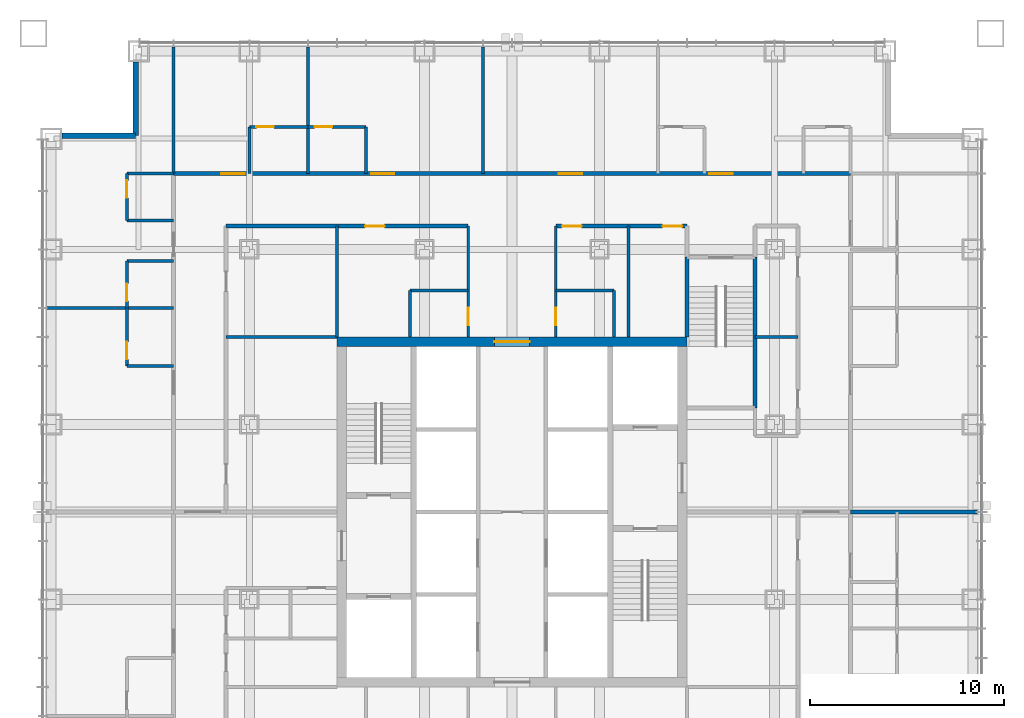
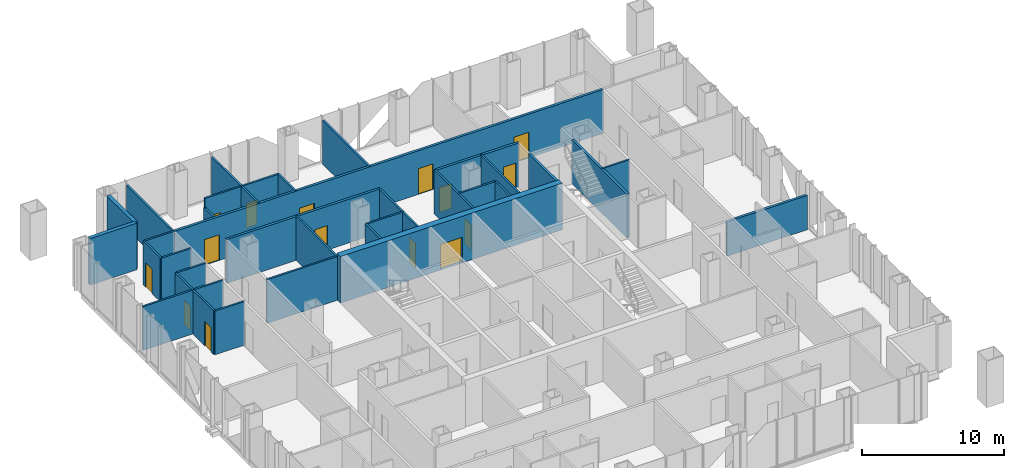
# One storey, part 11 of 17: 34 walls, 15 doors, 15 openings.
"""IFC4 building model written with IfcOpenShell, lengths in metres."""

from ifc_helpers import new_model, si_unit, direction, frame, frame_2d, origin, place, context, subcontext, project, spatial, rectangle, extrude, material, layer, layer_set, type_object, element, fill, save


model = new_model("IFC4")

# Units and contexts
model_context = context("Model", 3, precision=1e-05, world=origin(), true_north=direction((0.0, 1.0)))
body_context = subcontext(model_context, "Body", "Model", "MODEL_VIEW")
ifc_project = project(units=[si_unit("LENGTHUNIT", "METRE"), si_unit("AREAUNIT", "SQUARE_METRE"), si_unit("VOLUMEUNIT", "CUBIC_METRE"), si_unit("PLANEANGLEUNIT", "RADIAN"), si_unit("MASSUNIT", "GRAM", prefix="KILO")], contexts=[model_context])

# Site, building, storey
site_placement = place(None, origin())
site = spatial("IfcSite", under=ifc_project, at=site_placement, CompositionType="ELEMENT")
building_placement = place(site_placement, origin())
building = spatial("IfcBuilding", under=site, at=building_placement, Name="Malebo Sky Hospital", CompositionType="ELEMENT")
storey_placement = place(building_placement, frame((0.0, 0.0, 120.0)))
storey = spatial("IfcBuildingStorey", under=building, at=storey_placement, Name="L28", CompositionType="ELEMENT", Elevation=120.0)

# Wall, opening, door
ifc_material_1 = material(Name="Concrete C80/95", Category="concrete")
ifc_layer_1 = layer(ifc_material_1, 0.5)
ifc_layer_set_1 = layer_set([ifc_layer_1], Name="CORE WALL 500")
wall_type_1 = type_object("IfcWallType", Name="CORE WALL 500", PredefinedType="SHEAR", material=ifc_layer_set_1)
wall_1_placement = place(storey_placement, frame((51.0, 70.75, 0.0), z_axis=(0.0, 0.0, 1.0), x_axis=(1.0, 0.0, 0.0)))
wall_1 = element("IfcWall", 1, at=wall_1_placement, inside=storey, type_object=wall_type_1, Name="Core wall N L28", PredefinedType="SHEAR", context=body_context, shape_type="SweptSolid", body=[
    extrude(rectangle(XDim=18.0, YDim=0.5, at=frame_2d((9.0, 0.0))), origin(), (0.0, 0.0, 1.0), 4.0),
])
opening_1_placement = place(wall_1_placement, frame((8.10009765625, 0.0, 0.0)))
opening_1 = element("IfcOpeningElement", 2, at=opening_1_placement, cuts=wall_1, Name="Opening D06", PredefinedType="OPENING", context=body_context, shape_type="SweptSolid", body=[
    extrude(rectangle(XDim=1.800048828125, YDim=2.199951171875, at=frame_2d((0.89990234375, 1.10009765625))), frame((0.0, 0.260009765625, 0.0), z_axis=(0.0, -1.0, 0.0), x_axis=(1.0, 0.0, 0.0)), (0.0, 0.0, 1.0), 0.52001953125),
])
ifc_material_2 = material(Name="Hardwood-faced door leaf in steel frame", Category="steel")
door_type_1 = type_object("IfcDoorType", Name="LOBBY DOOR PAIR 1800", OperationType="DOUBLE_DOOR_SINGLE_SWING", PredefinedType="DOOR", material=ifc_material_2)
door_1_placement = place(opening_1_placement, origin())
door_1 = element("IfcDoor", 3, at=door_1_placement, inside=storey, type_object=door_type_1, Name="linen store door north", OperationType="DOUBLE_DOOR_SINGLE_SWING", OverallHeight=2.199951171875, OverallWidth=1.800048828125, PredefinedType="DOOR", context=body_context, shape_type="SweptSolid", body=[
    extrude(rectangle(XDim=1.800048828125, YDim=2.199951171875, at=frame_2d((0.89990234375, 1.10009765625))), frame((0.0, 0.02490234375, 0.0), z_axis=(0.0, -1.0, 0.0), x_axis=(1.0, 0.0, 0.0)), (0.0, 0.0, 1.0), 0.050048828125),
])
fill(opening_1, door_1)

# Wall, openings, doors
ifc_material_3 = material(Name="Gypsum board on steel studs", Category="steel")
ifc_layer_2 = layer(ifc_material_3, 0.199951171875)
ifc_layer_set_2 = layer_set([ifc_layer_2], Name="CORRIDOR WALL 200")
wall_type_2 = type_object("IfcWallType", Name="CORRIDOR WALL 200", PredefinedType="PARTITIONING", material=ifc_layer_set_2)
wall_2_placement = place(storey_placement, frame((42.60009765625, 79.39990234375, 0.0), z_axis=(0.0, 0.0, 1.0), x_axis=(1.0, 0.0, 0.0)))
wall_2 = element("IfcWall", 4, at=wall_2_placement, inside=storey, type_object=wall_type_2, Name="Corridor Wall 200 NCO", PredefinedType="PARTITIONING", context=body_context, shape_type="SweptSolid", body=[
    extrude(rectangle(XDim=34.7998046875, YDim=0.199951171875, at=frame_2d((17.39990234375, 0.0))), origin(), (0.0, 0.0, 1.0), 3.75),
])
opening_2_placement = place(wall_2_placement, frame((2.449951171875, 0.0, 0.0)))
opening_2 = element("IfcOpeningElement", 5, at=opening_2_placement, cuts=wall_2, Name="Opening D01", PredefinedType="OPENING", context=body_context, shape_type="SweptSolid", body=[
    extrude(rectangle(XDim=1.199951171875, YDim=2.199951171875, at=frame_2d((0.60009765625, 1.10009765625))), frame((0.0, 0.10986328125, 0.0), z_axis=(0.0, -1.0, 0.0), x_axis=(1.0, 0.0, 0.0)), (0.0, 0.0, 1.0), 0.219970703125),
])
opening_3_placement = place(wall_2_placement, frame((10.14990234375, 0.0, 0.0)))
opening_3 = element("IfcOpeningElement", 6, at=opening_3_placement, cuts=wall_2, Name="Opening D01", PredefinedType="OPENING", context=body_context, shape_type="SweptSolid", body=[
    extrude(rectangle(XDim=1.199951171875, YDim=2.199951171875, at=frame_2d((0.60009765625, 1.10009765625))), frame((0.0, 0.10986328125, 0.0), z_axis=(0.0, -1.0, 0.0), x_axis=(1.0, 0.0, 0.0)), (0.0, 0.0, 1.0), 0.219970703125),
])
opening_4_placement = place(wall_2_placement, frame((19.800048828125, 0.0, 0.0)))
opening_4 = element("IfcOpeningElement", 7, at=opening_4_placement, cuts=wall_2, Name="Opening D01", PredefinedType="OPENING", context=body_context, shape_type="SweptSolid", body=[
    extrude(rectangle(XDim=1.199951171875, YDim=2.199951171875, at=frame_2d((0.60009765625, 1.10009765625))), frame((0.0, 0.10986328125, 0.0), z_axis=(0.0, -1.0, 0.0), x_axis=(1.0, 0.0, 0.0)), (0.0, 0.0, 1.0), 0.219970703125),
])
opening_5_placement = place(wall_2_placement, frame((27.550048828125, 0.0, 0.0)))
opening_5 = element("IfcOpeningElement", 8, at=opening_5_placement, cuts=wall_2, Name="Opening D01", PredefinedType="OPENING", context=body_context, shape_type="SweptSolid", body=[
    extrude(rectangle(XDim=1.199951171875, YDim=2.199951171875, at=frame_2d((0.60009765625, 1.10009765625))), frame((0.0, 0.10986328125, 0.0), z_axis=(0.0, -1.0, 0.0), x_axis=(1.0, 0.0, 0.0)), (0.0, 0.0, 1.0), 0.219970703125),
])
door_type_2 = type_object("IfcDoorType", Name="BED DOOR 1200", OperationType="SINGLE_SWING_LEFT", PredefinedType="DOOR", material=ifc_material_2)
door_2_placement = place(opening_2_placement, origin())
door_2 = element("IfcDoor", 9, at=door_2_placement, inside=storey, type_object=door_type_2, Name="Two-bed room door", OperationType="SINGLE_SWING_RIGHT", OverallHeight=2.199951171875, OverallWidth=1.199951171875, PredefinedType="DOOR", context=body_context, shape_type="SweptSolid", body=[
    extrude(rectangle(XDim=1.199951171875, YDim=2.199951171875, at=frame_2d((0.60009765625, 1.10009765625))), frame((0.0, 0.02490234375, 0.0), z_axis=(0.0, -1.0, 0.0), x_axis=(1.0, 0.0, 0.0)), (0.0, 0.0, 1.0), 0.050048828125),
])
fill(opening_2, door_2)
door_3_placement = place(opening_3_placement, origin())
door_3 = element("IfcDoor", 10, at=door_3_placement, inside=storey, type_object=door_type_2, Name="Two-bed room door", OperationType="SINGLE_SWING_LEFT", OverallHeight=2.199951171875, OverallWidth=1.199951171875, PredefinedType="DOOR", context=body_context, shape_type="SweptSolid", body=[
    extrude(rectangle(XDim=1.199951171875, YDim=2.199951171875, at=frame_2d((0.60009765625, 1.10009765625))), frame((0.0, 0.02490234375, 0.0), z_axis=(0.0, -1.0, 0.0), x_axis=(1.0, 0.0, 0.0)), (0.0, 0.0, 1.0), 0.050048828125),
])
fill(opening_3, door_3)
door_4_placement = place(opening_4_placement, origin())
door_4 = element("IfcDoor", 11, at=door_4_placement, inside=storey, type_object=door_type_2, Name="Therapy room door", OperationType="SINGLE_SWING_LEFT", OverallHeight=2.199951171875, OverallWidth=1.199951171875, PredefinedType="DOOR", context=body_context, shape_type="SweptSolid", body=[
    extrude(rectangle(XDim=1.199951171875, YDim=2.199951171875, at=frame_2d((0.60009765625, 1.10009765625))), frame((0.0, 0.02490234375, 0.0), z_axis=(0.0, -1.0, 0.0), x_axis=(1.0, 0.0, 0.0)), (0.0, 0.0, 1.0), 0.050048828125),
])
fill(opening_4, door_4)
door_5_placement = place(opening_5_placement, origin())
door_5 = element("IfcDoor", 12, at=door_5_placement, inside=storey, type_object=door_type_2, Name="Four-bed bay door", OperationType="SINGLE_SWING_LEFT", OverallHeight=2.199951171875, OverallWidth=1.199951171875, PredefinedType="DOOR", context=body_context, shape_type="SweptSolid", body=[
    extrude(rectangle(XDim=1.199951171875, YDim=2.199951171875, at=frame_2d((0.60009765625, 1.10009765625))), frame((0.0, 0.02490234375, 0.0), z_axis=(0.0, -1.0, 0.0), x_axis=(1.0, 0.0, 0.0)), (0.0, 0.0, 1.0), 0.050048828125),
])
fill(opening_5, door_5)

# Wall, opening, door
wall_3_placement = place(storey_placement, frame((45.300048828125, 76.699951171875, 0.0), z_axis=(0.0, 0.0, 1.0), x_axis=(1.0, 0.0, 0.0)))
wall_3 = element("IfcWall", 13, at=wall_3_placement, inside=storey, type_object=wall_type_2, Name="Corridor Wall 200 NCI1", PredefinedType="PARTITIONING", context=body_context, shape_type="SweptSolid", body=[
    extrude(rectangle(XDim=12.449951171875, YDim=0.199951171875, at=frame_2d((6.22509765625, 0.0))), origin(), (0.0, 0.0, 1.0), 3.75),
])
opening_6_placement = place(wall_3_placement, frame((7.14990234375, 0.0, 0.0)))
opening_6 = element("IfcOpeningElement", 14, at=opening_6_placement, cuts=wall_3, Name="Opening D03", PredefinedType="OPENING", context=body_context, shape_type="SweptSolid", body=[
    extrude(rectangle(XDim=1.0, YDim=2.10009765625, at=frame_2d((0.5, 1.050048828125))), frame((0.0, 0.10986328125, 0.0), z_axis=(0.0, -1.0, 0.0), x_axis=(1.0, 0.0, 0.0)), (0.0, 0.0, 1.0), 0.219970703125),
])
door_type_3 = type_object("IfcDoorType", Name="ROOM DOOR 1000", OperationType="SINGLE_SWING_LEFT", PredefinedType="DOOR", material=ifc_material_2)
door_6_placement = place(opening_6_placement, origin())
door_6 = element("IfcDoor", 15, at=door_6_placement, inside=storey, type_object=door_type_3, Name="Ward pantry door", OperationType="SINGLE_SWING_LEFT", OverallHeight=2.10009765625, OverallWidth=1.0, PredefinedType="DOOR", context=body_context, shape_type="SweptSolid", body=[
    extrude(rectangle(XDim=1.0, YDim=2.10009765625, at=frame_2d((0.5, 1.050048828125))), frame((0.0, 0.02490234375, 0.0), z_axis=(0.0, -1.0, 0.0), x_axis=(1.0, 0.0, 0.0)), (0.0, 0.0, 1.0), 0.050048828125),
])
fill(opening_6, door_6)

# Wall, openings, doors
wall_4_placement = place(storey_placement, frame((62.25, 76.699951171875, 0.0), z_axis=(0.0, 0.0, 1.0), x_axis=(1.0, 0.0, 0.0)))
wall_4 = element("IfcWall", 16, at=wall_4_placement, inside=storey, type_object=wall_type_2, Name="Corridor Wall 200 NCI2", PredefinedType="PARTITIONING", context=body_context, shape_type="SweptSolid", body=[
    extrude(rectangle(XDim=6.75, YDim=0.199951171875, at=frame_2d((3.375, 0.0))), origin(), (0.0, 0.0, 1.0), 3.75),
])
opening_7_placement = place(wall_4_placement, frame((0.324951171875, 0.0, 0.0)))
opening_7 = element("IfcOpeningElement", 17, at=opening_7_placement, cuts=wall_4, Name="Opening D03", PredefinedType="OPENING", context=body_context, shape_type="SweptSolid", body=[
    extrude(rectangle(XDim=1.0, YDim=2.10009765625, at=frame_2d((0.5, 1.050048828125))), frame((0.0, 0.10986328125, 0.0), z_axis=(0.0, -1.0, 0.0), x_axis=(1.0, 0.0, 0.0)), (0.0, 0.0, 1.0), 0.219970703125),
])
opening_8_placement = place(wall_4_placement, frame((5.5, 0.0, 0.0)))
opening_8 = element("IfcOpeningElement", 18, at=opening_8_placement, cuts=wall_4, Name="Opening D03", PredefinedType="OPENING", context=body_context, shape_type="SweptSolid", body=[
    extrude(rectangle(XDim=1.0, YDim=2.10009765625, at=frame_2d((0.5, 1.050048828125))), frame((0.0, 0.10986328125, 0.0), z_axis=(0.0, -1.0, 0.0), x_axis=(1.0, 0.0, 0.0)), (0.0, 0.0, 1.0), 0.219970703125),
])
door_7_placement = place(opening_7_placement, origin())
door_7 = element("IfcDoor", 19, at=door_7_placement, inside=storey, type_object=door_type_3, Name="Medication room door", OperationType="SINGLE_SWING_LEFT", OverallHeight=2.10009765625, OverallWidth=1.0, PredefinedType="DOOR", context=body_context, shape_type="SweptSolid", body=[
    extrude(rectangle(XDim=1.0, YDim=2.10009765625, at=frame_2d((0.5, 1.050048828125))), frame((0.0, 0.02490234375, 0.0), z_axis=(0.0, -1.0, 0.0), x_axis=(1.0, 0.0, 0.0)), (0.0, 0.0, 1.0), 0.050048828125),
])
fill(opening_7, door_7)
door_8_placement = place(opening_8_placement, origin())
door_8 = element("IfcDoor", 20, at=door_8_placement, inside=storey, type_object=door_type_3, Name="Seminar room door", OperationType="SINGLE_SWING_RIGHT", OverallHeight=2.10009765625, OverallWidth=1.0, PredefinedType="DOOR", context=body_context, shape_type="SweptSolid", body=[
    extrude(rectangle(XDim=1.0, YDim=2.10009765625, at=frame_2d((0.5, 1.050048828125))), frame((0.0, 0.02490234375, 0.0), z_axis=(0.0, -1.0, 0.0), x_axis=(1.0, 0.0, 0.0)), (0.0, 0.0, 1.0), 0.050048828125),
])
fill(opening_8, door_8)

# Walls
ifc_material_4 = material(Name="Anodised aluminium rainscreen on steel framing", Category="steel")
ifc_layer_3 = layer(ifc_material_4, 0.300048828125)
ifc_layer_set_3 = layer_set([ifc_layer_3], Name="NOTCH RAINSCREEN WALL 300")
wall_type_3 = type_object("IfcWallType", Name="NOTCH RAINSCREEN WALL 300", PredefinedType="ELEMENTEDWALL", material=ifc_layer_set_3)
for number, where, z_axis, x_axis, name in (
    (21, (36.85009765625, 81.35009765625, 0.0), (0.0, 0.0, 1.0), (1.0, 0.0, 0.0), "Notch rainscreen wall W1 L28"),
    (22, (40.64990234375, 81.35009765625, 0.0), (0.0, 0.0, 1.0), (0.0, 1.0, 0.0), "Notch rainscreen wall W2 L28"),
):
    element("IfcWall", number, at=place(storey_placement, frame(where, z_axis=z_axis, x_axis=x_axis)), inside=storey, type_object=wall_type_3, Name=name, PredefinedType="ELEMENTEDWALL", context=body_context, shape_type="SweptSolid", body=[
        extrude(rectangle(XDim=3.7998046875, YDim=0.300048828125, at=frame_2d((1.89990234375, 0.0))), origin(), (0.0, 0.0, 1.0), 4.0),
    ])
ifc_layer_4 = layer(ifc_material_3, 0.14990234375)
ifc_layer_set_4 = layer_set([ifc_layer_4], Name="PARTITION 150")
wall_type_4 = type_object("IfcWallType", Name="PARTITION 150", PredefinedType="PARTITIONING", material=ifc_layer_set_4)
for number, where, z_axis, x_axis, name in (
    (23, (49.5, 79.39990234375, 0.0), (0.0, 0.0, 1.0), (0.0, 1.0, 0.0), "Partition 150 NP-10.5"),
    (24, (58.5, 79.39990234375, 0.0), (0.0, 0.0, 1.0), (0.0, 1.0, 0.0), "Partition 150 NP-1.5"),
    (25, (42.60009765625, 79.39990234375, 0.0), (0.0, 0.0, 1.0), (0.0, 1.0, 0.0), "Partition 150 NP0"),
):
    element("IfcWall", number, at=place(storey_placement, frame(where, z_axis=z_axis, x_axis=x_axis)), inside=storey, type_object=wall_type_4, Name=name, PredefinedType="PARTITIONING", context=body_context, shape_type="SweptSolid", body=[
        extrude(rectangle(XDim=6.510009765625, YDim=0.14990234375, at=frame_2d((3.2548828125, 0.0))), origin(), (0.0, 0.0, 1.0), 3.75),
    ])

# Wall, opening, door
wall_5_placement = place(storey_placement, frame((46.5, 81.800048828125, 0.0), z_axis=(0.0, 0.0, 1.0), x_axis=(1.0, 0.0, 0.0)))
wall_5 = element("IfcWall", 26, at=wall_5_placement, inside=storey, type_object=wall_type_4, Name="Partition 150 NE0F", PredefinedType="PARTITIONING", context=body_context, shape_type="SweptSolid", body=[
    extrude(rectangle(XDim=3.0, YDim=0.14990234375, at=frame_2d((1.5, 0.0))), origin(), (0.0, 0.0, 1.0), 3.75),
])
opening_9_placement = place(wall_5_placement, frame((0.35009765625, 0.0, 0.0)))
opening_9 = element("IfcOpeningElement", 27, at=opening_9_placement, cuts=wall_5, Name="Opening D02", PredefinedType="OPENING", context=body_context, shape_type="SweptSolid", body=[
    extrude(rectangle(XDim=0.89990234375, YDim=2.10009765625, at=frame_2d((0.449951171875, 1.050048828125))), frame((0.0, 0.0849609375, 0.0), z_axis=(0.0, -1.0, 0.0), x_axis=(1.0, 0.0, 0.0)), (0.0, 0.0, 1.0), 0.169921875),
])
door_type_4 = type_object("IfcDoorType", Name="EN-SUITE DOOR 900", OperationType="SINGLE_SWING_LEFT", PredefinedType="DOOR", material=ifc_material_2)
door_9_placement = place(opening_9_placement, origin())
door_9 = element("IfcDoor", 28, at=door_9_placement, inside=storey, type_object=door_type_4, Name="En-suite door", OperationType="SINGLE_SWING_LEFT", OverallHeight=2.10009765625, OverallWidth=0.89990234375, PredefinedType="DOOR", context=body_context, shape_type="SweptSolid", body=[
    extrude(rectangle(XDim=0.89990234375, YDim=2.10009765625, at=frame_2d((0.449951171875, 1.050048828125))), frame((0.0, 0.02490234375, 0.0), z_axis=(0.0, -1.0, 0.0), x_axis=(1.0, 0.0, 0.0)), (0.0, 0.0, 1.0), 0.050048828125),
])
fill(opening_9, door_9)

# Wall
wall_6_placement = place(storey_placement, frame((46.5, 79.39990234375, 0.0), z_axis=(0.0, 0.0, 1.0), x_axis=(0.0, 1.0, 0.0)))
element("IfcWall", 29, at=wall_6_placement, inside=storey, type_object=wall_type_4, Name="Partition 150 NE0S", PredefinedType="PARTITIONING", context=body_context, shape_type="SweptSolid", body=[
    extrude(rectangle(XDim=2.400146484375, YDim=0.14990234375, at=frame_2d((1.2001953125, 0.0))), origin(), (0.0, 0.0, 1.0), 2.949951171875),
])

# Wall, opening, door
wall_7_placement = place(storey_placement, frame((49.5, 81.800048828125, 0.0), z_axis=(0.0, 0.0, 1.0), x_axis=(1.0, 0.0, 0.0)))
wall_7 = element("IfcWall", 30, at=wall_7_placement, inside=storey, type_object=wall_type_4, Name="Partition 150 NE1F", PredefinedType="PARTITIONING", context=body_context, shape_type="SweptSolid", body=[
    extrude(rectangle(XDim=3.0, YDim=0.14990234375, at=frame_2d((1.5, 0.0))), origin(), (0.0, 0.0, 1.0), 3.75),
])
opening_10_placement = place(wall_7_placement, frame((0.35009765625, 0.0, 0.0)))
opening_10 = element("IfcOpeningElement", 31, at=opening_10_placement, cuts=wall_7, Name="Opening D02", PredefinedType="OPENING", context=body_context, shape_type="SweptSolid", body=[
    extrude(rectangle(XDim=0.89990234375, YDim=2.10009765625, at=frame_2d((0.449951171875, 1.050048828125))), frame((0.0, 0.0849609375, 0.0), z_axis=(0.0, -1.0, 0.0), x_axis=(1.0, 0.0, 0.0)), (0.0, 0.0, 1.0), 0.169921875),
])
door_10_placement = place(opening_10_placement, origin())
door_10 = element("IfcDoor", 32, at=door_10_placement, inside=storey, type_object=door_type_4, Name="En-suite door", OperationType="SINGLE_SWING_LEFT", OverallHeight=2.10009765625, OverallWidth=0.89990234375, PredefinedType="DOOR", context=body_context, shape_type="SweptSolid", body=[
    extrude(rectangle(XDim=0.89990234375, YDim=2.10009765625, at=frame_2d((0.449951171875, 1.050048828125))), frame((0.0, 0.02490234375, 0.0), z_axis=(0.0, -1.0, 0.0), x_axis=(1.0, 0.0, 0.0)), (0.0, 0.0, 1.0), 0.050048828125),
])
fill(opening_10, door_10)

# Walls
wall_8_placement = place(storey_placement, frame((52.5, 79.39990234375, 0.0), z_axis=(0.0, 0.0, 1.0), x_axis=(0.0, 1.0, 0.0)))
element("IfcWall", 33, at=wall_8_placement, inside=storey, type_object=wall_type_4, Name="Partition 150 NE1S", PredefinedType="PARTITIONING", context=body_context, shape_type="SweptSolid", body=[
    extrude(rectangle(XDim=2.400146484375, YDim=0.14990234375, at=frame_2d((1.2001953125, 0.0))), origin(), (0.0, 0.0, 1.0), 3.75),
])
wall_9_placement = place(storey_placement, frame((51.0, 71.0, 0.0), z_axis=(0.0, 0.0, 1.0), x_axis=(0.0, 1.0, 0.0)))
element("IfcWall", 34, at=wall_9_placement, inside=storey, type_object=wall_type_4, Name="Partition 150 NSP0", PredefinedType="PARTITIONING", context=body_context, shape_type="SweptSolid", body=[
    extrude(rectangle(XDim=5.699951171875, YDim=0.14990234375, at=frame_2d((2.85009765625, 0.0))), origin(), (0.0, 0.0, 1.0), 3.75),
])

# Wall, opening, door
wall_10_placement = place(storey_placement, frame((57.75, 71.0, 0.0), z_axis=(0.0, 0.0, 1.0), x_axis=(0.0, 1.0, 0.0)))
wall_10 = element("IfcWall", 35, at=wall_10_placement, inside=storey, type_object=wall_type_4, Name="Partition 150 NSPA", PredefinedType="PARTITIONING", context=body_context, shape_type="SweptSolid", body=[
    extrude(rectangle(XDim=5.699951171875, YDim=0.14990234375, at=frame_2d((2.85009765625, 0.0))), origin(), (0.0, 0.0, 1.0), 3.75),
])
opening_11_placement = place(wall_10_placement, frame((0.60009765625, 0.0, 0.0)))
opening_11 = element("IfcOpeningElement", 36, at=opening_11_placement, cuts=wall_10, Name="Opening D04", PredefinedType="OPENING", context=body_context, shape_type="SweptSolid", body=[
    extrude(rectangle(XDim=0.89990234375, YDim=2.10009765625, at=frame_2d((0.449951171875, 1.050048828125))), frame((0.0, 0.0849609375, 0.0), z_axis=(0.0, -1.0, 0.0), x_axis=(1.0, 0.0, 0.0)), (0.0, 0.0, 1.0), 0.169921875),
])
door_type_5 = type_object("IfcDoorType", Name="ROOM DOOR 900", OperationType="SINGLE_SWING_LEFT", PredefinedType="DOOR", material=ifc_material_2)
door_11_placement = place(opening_11_placement, origin())
door_11 = element("IfcDoor", 37, at=door_11_placement, inside=storey, type_object=door_type_5, Name="Staff WC door", OperationType="SINGLE_SWING_LEFT", OverallHeight=2.10009765625, OverallWidth=0.89990234375, PredefinedType="DOOR", context=body_context, shape_type="SweptSolid", body=[
    extrude(rectangle(XDim=0.89990234375, YDim=2.10009765625, at=frame_2d((0.449951171875, 1.050048828125))), frame((0.0, 0.02490234375, 0.0), z_axis=(0.0, -1.0, 0.0), x_axis=(1.0, 0.0, 0.0)), (0.0, 0.0, 1.0), 0.050048828125),
])
fill(opening_11, door_11)

wall_11_placement = place(storey_placement, frame((62.25, 71.0, 0.0), z_axis=(0.0, 0.0, 1.0), x_axis=(0.0, 1.0, 0.0)))
wall_11 = element("IfcWall", 38, at=wall_11_placement, inside=storey, type_object=wall_type_4, Name="Partition 150 NSPB", PredefinedType="PARTITIONING", context=body_context, shape_type="SweptSolid", body=[
    extrude(rectangle(XDim=5.699951171875, YDim=0.14990234375, at=frame_2d((2.85009765625, 0.0))), origin(), (0.0, 0.0, 1.0), 3.75),
])
opening_12_placement = place(wall_11_placement, frame((0.60009765625, 0.0, 0.0)))
opening_12 = element("IfcOpeningElement", 39, at=opening_12_placement, cuts=wall_11, Name="Opening D04", PredefinedType="OPENING", context=body_context, shape_type="SweptSolid", body=[
    extrude(rectangle(XDim=0.89990234375, YDim=2.10009765625, at=frame_2d((0.449951171875, 1.050048828125))), frame((0.0, 0.0849609375, 0.0), z_axis=(0.0, -1.0, 0.0), x_axis=(1.0, 0.0, 0.0)), (0.0, 0.0, 1.0), 0.169921875),
])
door_12_placement = place(opening_12_placement, origin())
door_12 = element("IfcDoor", 40, at=door_12_placement, inside=storey, type_object=door_type_5, Name="Accessible WC door", OperationType="SINGLE_SWING_LEFT", OverallHeight=2.10009765625, OverallWidth=0.89990234375, PredefinedType="DOOR", context=body_context, shape_type="SweptSolid", body=[
    extrude(rectangle(XDim=0.89990234375, YDim=2.10009765625, at=frame_2d((0.449951171875, 1.050048828125))), frame((0.0, 0.02490234375, 0.0), z_axis=(0.0, -1.0, 0.0), x_axis=(1.0, 0.0, 0.0)), (0.0, 0.0, 1.0), 0.050048828125),
])
fill(opening_12, door_12)

# Walls
wall_12_placement = place(storey_placement, frame((66.0, 71.0, 0.0), z_axis=(0.0, 0.0, 1.0), x_axis=(0.0, 1.0, 0.0)))
element("IfcWall", 41, at=wall_12_placement, inside=storey, type_object=wall_type_4, Name="Partition 150 NSP+6.0", PredefinedType="PARTITIONING", context=body_context, shape_type="SweptSolid", body=[
    extrude(rectangle(XDim=5.699951171875, YDim=0.14990234375, at=frame_2d((2.85009765625, 0.0))), origin(), (0.0, 0.0, 1.0), 3.75),
])
wall_13_placement = place(storey_placement, frame((54.75, 73.39990234375, 0.0), z_axis=(0.0, 0.0, 1.0), x_axis=(1.0, 0.0, 0.0)))
element("IfcWall", 42, at=wall_13_placement, inside=storey, type_object=wall_type_4, Name="Partition 150 NSX0", PredefinedType="PARTITIONING", context=body_context, shape_type="SweptSolid", body=[
    extrude(rectangle(XDim=3.0, YDim=0.14990234375, at=frame_2d((1.5, 0.0))), origin(), (0.0, 0.0, 1.0), 3.75),
])
wall_14_placement = place(storey_placement, frame((54.75, 71.0, 0.0), z_axis=(0.0, 0.0, 1.0), x_axis=(0.0, 1.0, 0.0)))
element("IfcWall", 43, at=wall_14_placement, inside=storey, type_object=wall_type_4, Name="Partition 150 NSY0", PredefinedType="PARTITIONING", context=body_context, shape_type="SweptSolid", body=[
    extrude(rectangle(XDim=2.39990234375, YDim=0.14990234375, at=frame_2d((1.199951171875, 0.0))), origin(), (0.0, 0.0, 1.0), 3.75),
])
wall_15_placement = place(storey_placement, frame((62.25, 73.39990234375, 0.0), z_axis=(0.0, 0.0, 1.0), x_axis=(1.0, 0.0, 0.0)))
element("IfcWall", 44, at=wall_15_placement, inside=storey, type_object=wall_type_4, Name="Partition 150 NSX1", PredefinedType="PARTITIONING", context=body_context, shape_type="SweptSolid", body=[
    extrude(rectangle(XDim=3.0, YDim=0.14990234375, at=frame_2d((1.5, 0.0))), origin(), (0.0, 0.0, 1.0), 3.75),
])
wall_16_placement = place(storey_placement, frame((65.25, 71.0, 0.0), z_axis=(0.0, 0.0, 1.0), x_axis=(0.0, 1.0, 0.0)))
element("IfcWall", 45, at=wall_16_placement, inside=storey, type_object=wall_type_4, Name="Partition 150 NSY1", PredefinedType="PARTITIONING", context=body_context, shape_type="SweptSolid", body=[
    extrude(rectangle(XDim=2.39990234375, YDim=0.14990234375, at=frame_2d((1.199951171875, 0.0))), origin(), (0.0, 0.0, 1.0), 3.75),
])
wall_17_placement = place(storey_placement, frame((42.60009765625, 72.5, 0.0), z_axis=(0.0, 0.0, 1.0), x_axis=(-1.0, 0.0, 0.0)))
element("IfcWall", 46, at=wall_17_placement, inside=storey, type_object=wall_type_4, Name="Partition 150 WP+10.5", PredefinedType="PARTITIONING", context=body_context, shape_type="SweptSolid", body=[
    extrude(rectangle(XDim=6.510009765625, YDim=0.14990234375, at=frame_2d((3.2548828125, 0.0))), origin(), (0.0, 0.0, 1.0), 3.75),
])

# Wall, opening, door
wall_18_placement = place(storey_placement, frame((40.199951171875, 69.5, 0.0), z_axis=(0.0, 0.0, 1.0), x_axis=(0.0, 1.0, 0.0)))
wall_18 = element("IfcWall", 47, at=wall_18_placement, inside=storey, type_object=wall_type_4, Name="Partition 150 WE2F", PredefinedType="PARTITIONING", context=body_context, shape_type="SweptSolid", body=[
    extrude(rectangle(XDim=3.0, YDim=0.14990234375, at=frame_2d((1.5, 0.0))), origin(), (0.0, 0.0, 1.0), 3.75),
])
opening_13_placement = place(wall_18_placement, frame((0.35009765625, 0.0, 0.0)))
opening_13 = element("IfcOpeningElement", 48, at=opening_13_placement, cuts=wall_18, Name="Opening D02", PredefinedType="OPENING", context=body_context, shape_type="SweptSolid", body=[
    extrude(rectangle(XDim=0.89990234375, YDim=2.10009765625, at=frame_2d((0.449951171875, 1.050048828125))), frame((0.0, 0.0849609375, 0.0), z_axis=(0.0, -1.0, 0.0), x_axis=(1.0, 0.0, 0.0)), (0.0, 0.0, 1.0), 0.169921875),
])
door_13_placement = place(opening_13_placement, origin())
door_13 = element("IfcDoor", 49, at=door_13_placement, inside=storey, type_object=door_type_4, Name="En-suite door", OperationType="SINGLE_SWING_LEFT", OverallHeight=2.10009765625, OverallWidth=0.89990234375, PredefinedType="DOOR", context=body_context, shape_type="SweptSolid", body=[
    extrude(rectangle(XDim=0.89990234375, YDim=2.10009765625, at=frame_2d((0.449951171875, 1.050048828125))), frame((0.0, 0.02490234375, 0.0), z_axis=(0.0, -1.0, 0.0), x_axis=(1.0, 0.0, 0.0)), (0.0, 0.0, 1.0), 0.050048828125),
])
fill(opening_13, door_13)

# Wall
wall_19_placement = place(storey_placement, frame((42.60009765625, 69.5, 0.0), z_axis=(0.0, 0.0, 1.0), x_axis=(-1.0, 0.0, 0.0)))
element("IfcWall", 50, at=wall_19_placement, inside=storey, type_object=wall_type_4, Name="Partition 150 WE2S", PredefinedType="PARTITIONING", context=body_context, shape_type="SweptSolid", body=[
    extrude(rectangle(XDim=2.400146484375, YDim=0.14990234375, at=frame_2d((1.2001953125, 0.0))), origin(), (0.0, 0.0, 1.0), 3.75),
])

# Wall, opening, door
wall_20_placement = place(storey_placement, frame((40.199951171875, 72.5, 0.0), z_axis=(0.0, 0.0, 1.0), x_axis=(0.0, 1.0, 0.0)))
wall_20 = element("IfcWall", 51, at=wall_20_placement, inside=storey, type_object=wall_type_4, Name="Partition 150 WE3F", PredefinedType="PARTITIONING", context=body_context, shape_type="SweptSolid", body=[
    extrude(rectangle(XDim=2.39990234375, YDim=0.14990234375, at=frame_2d((1.199951171875, 0.0))), origin(), (0.0, 0.0, 1.0), 3.75),
])
opening_14_placement = place(wall_20_placement, frame((0.35009765625, 0.0, 0.0)))
opening_14 = element("IfcOpeningElement", 52, at=opening_14_placement, cuts=wall_20, Name="Opening D02", PredefinedType="OPENING", context=body_context, shape_type="SweptSolid", body=[
    extrude(rectangle(XDim=0.89990234375, YDim=2.10009765625, at=frame_2d((0.449951171875, 1.050048828125))), frame((0.0, 0.0849609375, 0.0), z_axis=(0.0, -1.0, 0.0), x_axis=(1.0, 0.0, 0.0)), (0.0, 0.0, 1.0), 0.169921875),
])
door_14_placement = place(opening_14_placement, origin())
door_14 = element("IfcDoor", 53, at=door_14_placement, inside=storey, type_object=door_type_4, Name="En-suite door", OperationType="SINGLE_SWING_LEFT", OverallHeight=2.10009765625, OverallWidth=0.89990234375, PredefinedType="DOOR", context=body_context, shape_type="SweptSolid", body=[
    extrude(rectangle(XDim=0.89990234375, YDim=2.10009765625, at=frame_2d((0.449951171875, 1.050048828125))), frame((0.0, 0.02490234375, 0.0), z_axis=(0.0, -1.0, 0.0), x_axis=(1.0, 0.0, 0.0)), (0.0, 0.0, 1.0), 0.050048828125),
])
fill(opening_14, door_14)

# Wall
wall_21_placement = place(storey_placement, frame((42.60009765625, 74.89990234375, 0.0), z_axis=(0.0, 0.0, 1.0), x_axis=(-1.0, 0.0, 0.0)))
element("IfcWall", 54, at=wall_21_placement, inside=storey, type_object=wall_type_4, Name="Partition 150 WE3S", PredefinedType="PARTITIONING", context=body_context, shape_type="SweptSolid", body=[
    extrude(rectangle(XDim=2.400146484375, YDim=0.14990234375, at=frame_2d((1.2001953125, 0.0))), origin(), (0.0, 0.0, 1.0), 3.75),
])

# Wall, opening, door
wall_22_placement = place(storey_placement, frame((40.199951171875, 77.0, 0.0), z_axis=(0.0, 0.0, 1.0), x_axis=(0.0, 1.0, 0.0)))
wall_22 = element("IfcWall", 55, at=wall_22_placement, inside=storey, type_object=wall_type_4, Name="Partition 150 WG3F", PredefinedType="PARTITIONING", context=body_context, shape_type="SweptSolid", body=[
    extrude(rectangle(XDim=2.39990234375, YDim=0.14990234375, at=frame_2d((1.199951171875, 0.0))), origin(), (0.0, 0.0, 1.0), 3.75),
])
opening_15_placement = place(wall_22_placement, frame((1.14990234375, 0.0, 0.0)))
opening_15 = element("IfcOpeningElement", 56, at=opening_15_placement, cuts=wall_22, Name="Opening D02", PredefinedType="OPENING", context=body_context, shape_type="SweptSolid", body=[
    extrude(rectangle(XDim=0.89990234375, YDim=2.10009765625, at=frame_2d((0.449951171875, 1.050048828125))), frame((0.0, 0.0849609375, 0.0), z_axis=(0.0, -1.0, 0.0), x_axis=(1.0, 0.0, 0.0)), (0.0, 0.0, 1.0), 0.169921875),
])
door_15_placement = place(opening_15_placement, origin())
door_15 = element("IfcDoor", 57, at=door_15_placement, inside=storey, type_object=door_type_4, Name="En-suite door", OperationType="SINGLE_SWING_RIGHT", OverallHeight=2.10009765625, OverallWidth=0.89990234375, PredefinedType="DOOR", context=body_context, shape_type="SweptSolid", body=[
    extrude(rectangle(XDim=0.89990234375, YDim=2.10009765625, at=frame_2d((0.449951171875, 1.050048828125))), frame((0.0, 0.02490234375, 0.0), z_axis=(0.0, -1.0, 0.0), x_axis=(1.0, 0.0, 0.0)), (0.0, 0.0, 1.0), 0.050048828125),
])
fill(opening_15, door_15)

# Walls
for number, where, z_axis, x_axis, name in (
    (58, (42.60009765625, 77.0, 0.0), (0.0, 0.0, 1.0), (-1.0, 0.0, 0.0), "Partition 150 WG3S"),
    (59, (42.60009765625, 79.39990234375, 0.0), (0.0, 0.0, 1.0), (-1.0, 0.0, 0.0), "Partition 150 WEZ"),
):
    element("IfcWall", number, at=place(storey_placement, frame(where, z_axis=z_axis, x_axis=x_axis)), inside=storey, type_object=wall_type_4, Name=name, PredefinedType="PARTITIONING", context=body_context, shape_type="SweptSolid", body=[
        extrude(rectangle(XDim=2.400146484375, YDim=0.14990234375, at=frame_2d((1.2001953125, 0.0))), origin(), (0.0, 0.0, 1.0), 3.75),
    ])
wall_23_placement = place(storey_placement, frame((51.0, 71.0, 0.0), z_axis=(0.0, 0.0, 1.0), x_axis=(-1.0, 0.0, 0.0)))
element("IfcWall", 60, at=wall_23_placement, inside=storey, type_object=wall_type_4, Name="Partition 150 WSP+9.0", PredefinedType="PARTITIONING", context=body_context, shape_type="SweptSolid", body=[
    extrude(rectangle(XDim=5.699951171875, YDim=0.14990234375, at=frame_2d((2.85009765625, 0.0))), origin(), (0.0, 0.0, 1.0), 3.75),
])
wall_24_placement = place(storey_placement, frame((72.5, 71.0, 0.0), z_axis=(0.0, 0.0, 1.0), x_axis=(1.0, 0.0, 0.0)))
element("IfcWall", 61, at=wall_24_placement, inside=storey, type_object=wall_type_4, Name="Partition 150 ESP0", PredefinedType="PARTITIONING", context=body_context, shape_type="SweptSolid", body=[
    extrude(rectangle(XDim=2.199951171875, YDim=0.14990234375, at=frame_2d((1.10009765625, 0.0))), origin(), (0.0, 0.0, 1.0), 3.75),
])
ifc_material_5 = material(Name="Concrete blockwork", Category="masonry")
ifc_layer_5 = layer(ifc_material_5, 0.199951171875)
ifc_layer_set_5 = layer_set([ifc_layer_5], Name="SMOKE BARRIER WALL 200")
wall_type_5 = type_object("IfcWallType", Name="SMOKE BARRIER WALL 200", PredefinedType="SOLIDWALL", material=ifc_layer_set_5)
wall_25_placement = place(storey_placement, frame((77.39990234375, 62.0, 0.0), z_axis=(0.0, 0.0, 1.0), x_axis=(1.0, 0.0, 0.0)))
element("IfcWall", 62, at=wall_25_placement, inside=storey, type_object=wall_type_5, Name="Smoke Barrier Wall 200 EP+0.0", PredefinedType="SOLIDWALL", context=body_context, shape_type="SweptSolid", body=[
    extrude(rectangle(XDim=6.510009765625, YDim=0.199951171875, at=frame_2d((3.2548828125, 0.0))), origin(), (0.0, 0.0, 1.0), 2.949951171875),
])
ifc_material_6 = material(Name="Concrete C40/50", Category="concrete")
ifc_layer_6 = layer(ifc_material_6, 0.199951171875)
ifc_layer_set_6 = layer_set([ifc_layer_6], Name="STAIR ENCLOSURE WALL 200")
wall_type_6 = type_object("IfcWallType", Name="STAIR ENCLOSURE WALL 200", PredefinedType="SOLIDWALL", material=ifc_layer_set_6)
wall_26_placement = place(storey_placement, frame((69.0, 71.0, 0.0), z_axis=(0.0, 0.0, 1.0), x_axis=(0.0, 1.0, 0.0)))
element("IfcWall", 63, at=wall_26_placement, inside=storey, type_object=wall_type_6, Name="Stair Enclosure Wall 200 ST3W", PredefinedType="SOLIDWALL", context=body_context, shape_type="SweptSolid", body=[
    extrude(rectangle(XDim=4.10009765625, YDim=0.199951171875, at=frame_2d((2.050048828125, 0.0))), origin(), (0.0, 0.0, 1.0), 3.75),
])
wall_27_placement = place(storey_placement, frame((72.5, 67.35009765625, 0.0), z_axis=(0.0, 0.0, 1.0), x_axis=(0.0, 1.0, 0.0)))
element("IfcWall", 64, at=wall_27_placement, inside=storey, type_object=wall_type_6, Name="Stair Enclosure Wall 200 ST3E", PredefinedType="SOLIDWALL", context=body_context, shape_type="SweptSolid", body=[
    extrude(rectangle(XDim=7.75, YDim=0.199951171875, at=frame_2d((3.875, 0.0))), origin(), (0.0, 0.0, 1.0), 3.75),
])

save(model, "model.ifc")
